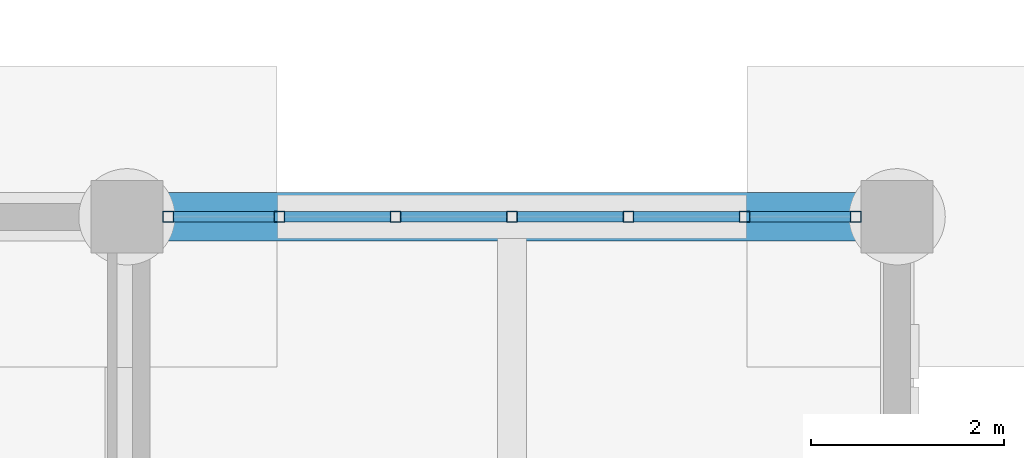
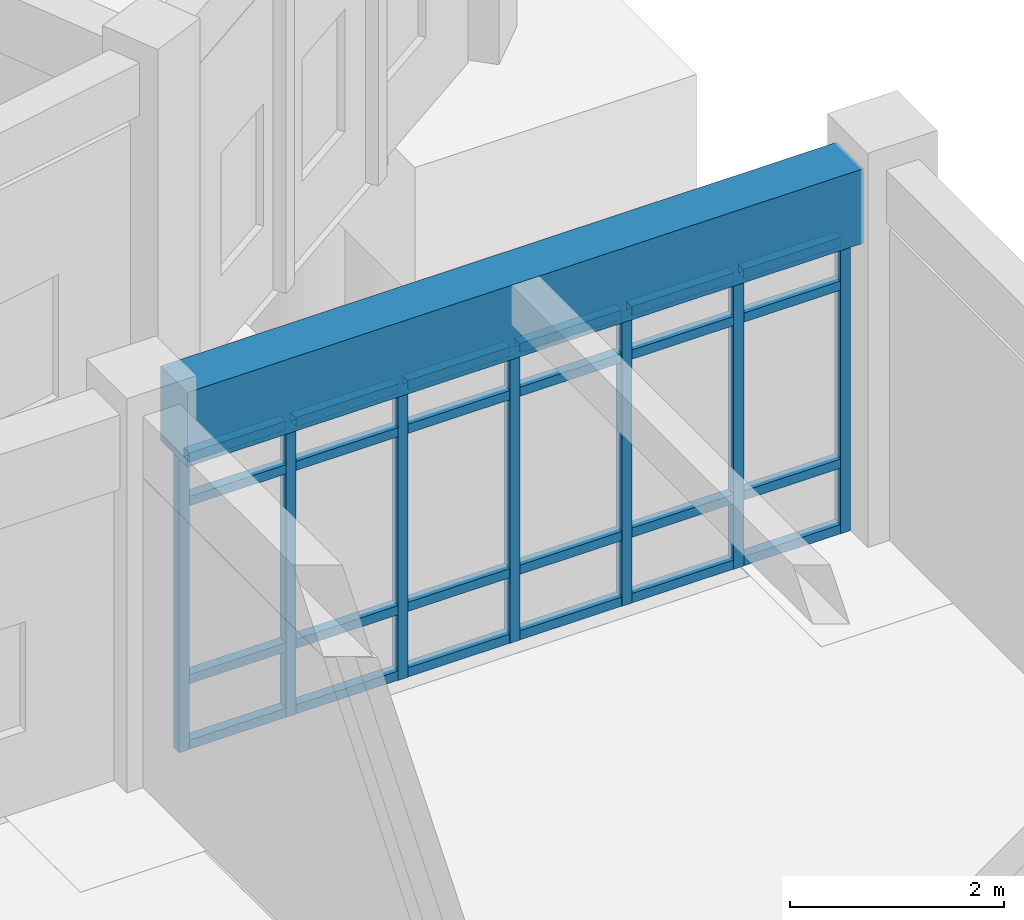
# One storey, part 58 of 153: 31 members, 1 beam, 1 element without a shape of its own.
"""IFC4 building model written with IfcOpenShell, lengths in metres."""

from ifc_helpers import new_model, si_unit, direction, frame, origin, origin_2d, place, context, subcontext, project, spatial, rectangle, hollow_rectangle, extrude, material, material_profile, profile_set, type_object, element, aggregate, save


model = new_model("IFC4")

# Units and contexts
model_context = context("Model", 3, precision=1e-05, world=origin(), true_north=direction((0.0, 1.0)))
body_context = subcontext(model_context, "Body", "Model", "MODEL_VIEW")
ifc_project = project(units=[si_unit("LENGTHUNIT", "METRE"), si_unit("AREAUNIT", "SQUARE_METRE"), si_unit("VOLUMEUNIT", "CUBIC_METRE"), si_unit("PLANEANGLEUNIT", "RADIAN"), si_unit("MASSUNIT", "GRAM", prefix="KILO")], contexts=[model_context])

# Site, building, storey
site_placement = place(None, origin())
site = spatial("IfcSite", under=ifc_project, at=site_placement, CompositionType="ELEMENT")
building_placement = place(site_placement, origin())
building = spatial("IfcBuilding", under=site, at=building_placement, Name="Celadon Cloister-Ring School", CompositionType="ELEMENT")
storey_placement = place(building_placement, origin())
storey = spatial("IfcBuildingStorey", under=building, at=storey_placement, Name="L00", CompositionType="ELEMENT", Elevation=0.0)

# Curtain wall, members
ifc_material_1 = material(Name="Aluminium EN AW-6063 T6", Category="aluminium")
curtain_wall_type = type_object("IfcCurtainWallType", Name="CW-12", PredefinedType="USERDEFINED", material=ifc_material_1)
curtain_wall_placement = place(storey_placement, origin())
curtain_wall = element("IfcCurtainWall", 1, at=curtain_wall_placement, inside=storey, type_object=curtain_wall_type, Name="Curtain Wall 0192", ObjectType="CURTAIN WALL", PredefinedType="USERDEFINED")
ifc_material_2 = material(Name="Aluminium EN AW-6063 T6", Category="aluminium")
ifc_material_profile_1 = material_profile(ifc_material_2, hollow_rectangle(XDim=0.110107421875, YDim=0.110107421875, WallThickness=0.0048828125, at=origin_2d()), Name="RHS110X110X5")
ifc_profile_set_1 = profile_set([ifc_material_profile_1], Name="Aluminium EN AW-6063 T6")
member_type_1 = type_object("IfcMemberType", Name="CM-01", PredefinedType="MULLION", material=ifc_profile_set_1)
member_1_placement = place(storey_placement, frame((24.429931640625, 76.0, 0.0), z_axis=(0.0, 0.0, 1.0), x_axis=(0.0, 1.0, 0.0)))
member_1 = element("IfcMember", 2, at=member_1_placement, type_object=member_type_1, Name="CW-12 mullion 1", PredefinedType="MULLION", context=body_context, shape_type="SweptSolid", body=[
    extrude(hollow_rectangle(XDim=0.110107421875, YDim=0.110107421875, WallThickness=0.0048828125, at=origin_2d()), origin(), (0.0, 0.0, 1.0), 3.382080078125),
])
member_2_placement = place(storey_placement, frame((25.583251953125, 76.0, 0.0), z_axis=(0.0, 0.0, 1.0), x_axis=(0.0, 1.0, 0.0)))
member_2 = element("IfcMember", 3, at=member_2_placement, type_object=member_type_1, Name="CW-12 mullion 2", PredefinedType="MULLION", context=body_context, shape_type="SweptSolid", body=[
    extrude(hollow_rectangle(XDim=0.110107421875, YDim=0.110107421875, WallThickness=0.0048828125, at=origin_2d()), origin(), (0.0, 0.0, 1.0), 3.382080078125),
])
member_3_placement = place(storey_placement, frame((26.791748046875, 76.0, 0.0), z_axis=(0.0, 0.0, 1.0), x_axis=(0.0, 1.0, 0.0)))
member_3 = element("IfcMember", 4, at=member_3_placement, type_object=member_type_1, Name="CW-12 mullion 3", PredefinedType="MULLION", context=body_context, shape_type="SweptSolid", body=[
    extrude(hollow_rectangle(XDim=0.110107421875, YDim=0.110107421875, WallThickness=0.0048828125, at=origin_2d()), origin(), (0.0, 0.0, 1.0), 3.382080078125),
])
member_4_placement = place(storey_placement, frame((28.0, 76.0, 0.0), z_axis=(0.0, 0.0, 1.0), x_axis=(0.0, 1.0, 0.0)))
member_4 = element("IfcMember", 5, at=member_4_placement, type_object=member_type_1, Name="CW-12 mullion 4", PredefinedType="MULLION", context=body_context, shape_type="SweptSolid", body=[
    extrude(hollow_rectangle(XDim=0.110107421875, YDim=0.110107421875, WallThickness=0.0048828125, at=origin_2d()), origin(), (0.0, 0.0, 1.0), 3.382080078125),
])
member_5_placement = place(storey_placement, frame((29.208251953125, 76.0, 0.0), z_axis=(0.0, 0.0, 1.0), x_axis=(0.0, 1.0, 0.0)))
member_5 = element("IfcMember", 6, at=member_5_placement, type_object=member_type_1, Name="CW-12 mullion 5", PredefinedType="MULLION", context=body_context, shape_type="SweptSolid", body=[
    extrude(hollow_rectangle(XDim=0.110107421875, YDim=0.110107421875, WallThickness=0.0048828125, at=origin_2d()), origin(), (0.0, 0.0, 1.0), 3.382080078125),
])
member_6_placement = place(storey_placement, frame((30.416748046875, 76.0, 0.0), z_axis=(0.0, 0.0, 1.0), x_axis=(0.0, 1.0, 0.0)))
member_6 = element("IfcMember", 7, at=member_6_placement, type_object=member_type_1, Name="CW-12 mullion 6", PredefinedType="MULLION", context=body_context, shape_type="SweptSolid", body=[
    extrude(hollow_rectangle(XDim=0.110107421875, YDim=0.110107421875, WallThickness=0.0048828125, at=origin_2d()), origin(), (0.0, 0.0, 1.0), 3.382080078125),
])
member_7_placement = place(storey_placement, frame((31.570068359375, 76.0, 0.0), z_axis=(0.0, 0.0, 1.0), x_axis=(0.0, 1.0, 0.0)))
member_7 = element("IfcMember", 8, at=member_7_placement, type_object=member_type_1, Name="CW-12 mullion 7", PredefinedType="MULLION", context=body_context, shape_type="SweptSolid", body=[
    extrude(hollow_rectangle(XDim=0.110107421875, YDim=0.110107421875, WallThickness=0.0048828125, at=origin_2d()), origin(), (0.0, 0.0, 1.0), 3.382080078125),
])
ifc_material_3 = material(Name="Aluminium EN AW-6063 T6", Category="aluminium")
ifc_material_profile_2 = material_profile(ifc_material_3, hollow_rectangle(XDim=0.10498046875, YDim=0.10498046875, WallThickness=0.0048828125, at=origin_2d()), Name="RHS105X105X5")
ifc_profile_set_2 = profile_set([ifc_material_profile_2], Name="Aluminium EN AW-6063 T6")
member_type_2 = type_object("IfcMemberType", Name="CTM-01", PredefinedType="USERDEFINED", material=ifc_profile_set_2)
member_8_placement = place(storey_placement, frame((24.485107421875, 76.0, 0.052490234375), z_axis=(1.0, 0.0, 0.0), x_axis=(0.0, 1.0, 0.0)))
member_8 = element("IfcMember", 9, at=member_8_placement, type_object=member_type_2, Name="CW-12 transom 1.1", ObjectType="TRANSOM", PredefinedType="USERDEFINED", context=body_context, shape_type="SweptSolid", body=[
    extrude(hollow_rectangle(XDim=0.10498046875, YDim=0.10498046875, WallThickness=0.0048828125, at=origin_2d()), origin(), (0.0, 0.0, 1.0), 1.043212890625),
])
member_9_placement = place(storey_placement, frame((24.485107421875, 76.0, 0.800048828125), z_axis=(1.0, 0.0, 0.0), x_axis=(0.0, 1.0, 0.0)))
member_9 = element("IfcMember", 10, at=member_9_placement, type_object=member_type_2, Name="CW-12 transom 1.2", ObjectType="TRANSOM", PredefinedType="USERDEFINED", context=body_context, shape_type="SweptSolid", body=[
    extrude(hollow_rectangle(XDim=0.10498046875, YDim=0.10498046875, WallThickness=0.0048828125, at=origin_2d()), origin(), (0.0, 0.0, 1.0), 1.043212890625),
])
member_10_placement = place(storey_placement, frame((24.485107421875, 76.0, 2.83203125), z_axis=(1.0, 0.0, 0.0), x_axis=(0.0, 1.0, 0.0)))
member_10 = element("IfcMember", 11, at=member_10_placement, type_object=member_type_2, Name="CW-12 transom 1.3", ObjectType="TRANSOM", PredefinedType="USERDEFINED", context=body_context, shape_type="SweptSolid", body=[
    extrude(hollow_rectangle(XDim=0.10498046875, YDim=0.10498046875, WallThickness=0.0048828125, at=origin_2d()), origin(), (0.0, 0.0, 1.0), 1.043212890625),
])
member_11_placement = place(storey_placement, frame((24.485107421875, 76.0, 3.32958984375), z_axis=(1.0, 0.0, 0.0), x_axis=(0.0, 1.0, 0.0)))
member_11 = element("IfcMember", 12, at=member_11_placement, type_object=member_type_2, Name="CW-12 transom 1.4", ObjectType="TRANSOM", PredefinedType="USERDEFINED", context=body_context, shape_type="SweptSolid", body=[
    extrude(hollow_rectangle(XDim=0.10498046875, YDim=0.10498046875, WallThickness=0.0048828125, at=origin_2d()), origin(), (0.0, 0.0, 1.0), 1.043212890625),
])
member_12_placement = place(storey_placement, frame((25.638427734375, 76.0, 0.052490234375), z_axis=(1.0, 0.0, 0.0), x_axis=(0.0, 1.0, 0.0)))
member_12 = element("IfcMember", 13, at=member_12_placement, type_object=member_type_2, Name="CW-12 transom 2.1", ObjectType="TRANSOM", PredefinedType="USERDEFINED", context=body_context, shape_type="SweptSolid", body=[
    extrude(hollow_rectangle(XDim=0.10498046875, YDim=0.10498046875, WallThickness=0.0048828125, at=origin_2d()), origin(), (0.0, 0.0, 1.0), 1.09814453125),
])
member_13_placement = place(storey_placement, frame((25.638427734375, 76.0, 0.800048828125), z_axis=(1.0, 0.0, 0.0), x_axis=(0.0, 1.0, 0.0)))
member_13 = element("IfcMember", 14, at=member_13_placement, type_object=member_type_2, Name="CW-12 transom 2.2", ObjectType="TRANSOM", PredefinedType="USERDEFINED", context=body_context, shape_type="SweptSolid", body=[
    extrude(hollow_rectangle(XDim=0.10498046875, YDim=0.10498046875, WallThickness=0.0048828125, at=origin_2d()), origin(), (0.0, 0.0, 1.0), 1.09814453125),
])
member_14_placement = place(storey_placement, frame((25.638427734375, 76.0, 2.83203125), z_axis=(1.0, 0.0, 0.0), x_axis=(0.0, 1.0, 0.0)))
member_14 = element("IfcMember", 15, at=member_14_placement, type_object=member_type_2, Name="CW-12 transom 2.3", ObjectType="TRANSOM", PredefinedType="USERDEFINED", context=body_context, shape_type="SweptSolid", body=[
    extrude(hollow_rectangle(XDim=0.10498046875, YDim=0.10498046875, WallThickness=0.0048828125, at=origin_2d()), origin(), (0.0, 0.0, 1.0), 1.09814453125),
])
member_15_placement = place(storey_placement, frame((25.638427734375, 76.0, 3.32958984375), z_axis=(1.0, 0.0, 0.0), x_axis=(0.0, 1.0, 0.0)))
member_15 = element("IfcMember", 16, at=member_15_placement, type_object=member_type_2, Name="CW-12 transom 2.4", ObjectType="TRANSOM", PredefinedType="USERDEFINED", context=body_context, shape_type="SweptSolid", body=[
    extrude(hollow_rectangle(XDim=0.10498046875, YDim=0.10498046875, WallThickness=0.0048828125, at=origin_2d()), origin(), (0.0, 0.0, 1.0), 1.09814453125),
])
member_16_placement = place(storey_placement, frame((26.8466796875, 76.0, 0.052490234375), z_axis=(1.0, 0.0, 0.0), x_axis=(0.0, 1.0, 0.0)))
member_16 = element("IfcMember", 17, at=member_16_placement, type_object=member_type_2, Name="CW-12 transom 3.1", ObjectType="TRANSOM", PredefinedType="USERDEFINED", context=body_context, shape_type="SweptSolid", body=[
    extrude(hollow_rectangle(XDim=0.10498046875, YDim=0.10498046875, WallThickness=0.0048828125, at=origin_2d()), origin(), (0.0, 0.0, 1.0), 1.098388671875),
])
member_17_placement = place(storey_placement, frame((26.8466796875, 76.0, 0.800048828125), z_axis=(1.0, 0.0, 0.0), x_axis=(0.0, 1.0, 0.0)))
member_17 = element("IfcMember", 18, at=member_17_placement, type_object=member_type_2, Name="CW-12 transom 3.2", ObjectType="TRANSOM", PredefinedType="USERDEFINED", context=body_context, shape_type="SweptSolid", body=[
    extrude(hollow_rectangle(XDim=0.10498046875, YDim=0.10498046875, WallThickness=0.0048828125, at=origin_2d()), origin(), (0.0, 0.0, 1.0), 1.098388671875),
])
member_18_placement = place(storey_placement, frame((26.8466796875, 76.0, 2.83203125), z_axis=(1.0, 0.0, 0.0), x_axis=(0.0, 1.0, 0.0)))
member_18 = element("IfcMember", 19, at=member_18_placement, type_object=member_type_2, Name="CW-12 transom 3.3", ObjectType="TRANSOM", PredefinedType="USERDEFINED", context=body_context, shape_type="SweptSolid", body=[
    extrude(hollow_rectangle(XDim=0.10498046875, YDim=0.10498046875, WallThickness=0.0048828125, at=origin_2d()), origin(), (0.0, 0.0, 1.0), 1.098388671875),
])
member_19_placement = place(storey_placement, frame((26.8466796875, 76.0, 3.32958984375), z_axis=(1.0, 0.0, 0.0), x_axis=(0.0, 1.0, 0.0)))
member_19 = element("IfcMember", 20, at=member_19_placement, type_object=member_type_2, Name="CW-12 transom 3.4", ObjectType="TRANSOM", PredefinedType="USERDEFINED", context=body_context, shape_type="SweptSolid", body=[
    extrude(hollow_rectangle(XDim=0.10498046875, YDim=0.10498046875, WallThickness=0.0048828125, at=origin_2d()), origin(), (0.0, 0.0, 1.0), 1.098388671875),
])
member_20_placement = place(storey_placement, frame((28.054931640625, 76.0, 0.052490234375), z_axis=(1.0, 0.0, 0.0), x_axis=(0.0, 1.0, 0.0)))
member_20 = element("IfcMember", 21, at=member_20_placement, type_object=member_type_2, Name="CW-12 transom 4.1", ObjectType="TRANSOM", PredefinedType="USERDEFINED", context=body_context, shape_type="SweptSolid", body=[
    extrude(hollow_rectangle(XDim=0.10498046875, YDim=0.10498046875, WallThickness=0.0048828125, at=origin_2d()), origin(), (0.0, 0.0, 1.0), 1.098388671875),
])
member_21_placement = place(storey_placement, frame((28.054931640625, 76.0, 0.800048828125), z_axis=(1.0, 0.0, 0.0), x_axis=(0.0, 1.0, 0.0)))
member_21 = element("IfcMember", 22, at=member_21_placement, type_object=member_type_2, Name="CW-12 transom 4.2", ObjectType="TRANSOM", PredefinedType="USERDEFINED", context=body_context, shape_type="SweptSolid", body=[
    extrude(hollow_rectangle(XDim=0.10498046875, YDim=0.10498046875, WallThickness=0.0048828125, at=origin_2d()), origin(), (0.0, 0.0, 1.0), 1.098388671875),
])
member_22_placement = place(storey_placement, frame((28.054931640625, 76.0, 2.83203125), z_axis=(1.0, 0.0, 0.0), x_axis=(0.0, 1.0, 0.0)))
member_22 = element("IfcMember", 23, at=member_22_placement, type_object=member_type_2, Name="CW-12 transom 4.3", ObjectType="TRANSOM", PredefinedType="USERDEFINED", context=body_context, shape_type="SweptSolid", body=[
    extrude(hollow_rectangle(XDim=0.10498046875, YDim=0.10498046875, WallThickness=0.0048828125, at=origin_2d()), origin(), (0.0, 0.0, 1.0), 1.098388671875),
])
member_23_placement = place(storey_placement, frame((28.054931640625, 76.0, 3.32958984375), z_axis=(1.0, 0.0, 0.0), x_axis=(0.0, 1.0, 0.0)))
member_23 = element("IfcMember", 24, at=member_23_placement, type_object=member_type_2, Name="CW-12 transom 4.4", ObjectType="TRANSOM", PredefinedType="USERDEFINED", context=body_context, shape_type="SweptSolid", body=[
    extrude(hollow_rectangle(XDim=0.10498046875, YDim=0.10498046875, WallThickness=0.0048828125, at=origin_2d()), origin(), (0.0, 0.0, 1.0), 1.098388671875),
])
member_24_placement = place(storey_placement, frame((29.263427734375, 76.0, 0.052490234375), z_axis=(1.0, 0.0, 0.0), x_axis=(0.0, 1.0, 0.0)))
member_24 = element("IfcMember", 25, at=member_24_placement, type_object=member_type_2, Name="CW-12 transom 5.1", ObjectType="TRANSOM", PredefinedType="USERDEFINED", context=body_context, shape_type="SweptSolid", body=[
    extrude(hollow_rectangle(XDim=0.10498046875, YDim=0.10498046875, WallThickness=0.0048828125, at=origin_2d()), origin(), (0.0, 0.0, 1.0), 1.09814453125),
])
member_25_placement = place(storey_placement, frame((29.263427734375, 76.0, 0.800048828125), z_axis=(1.0, 0.0, 0.0), x_axis=(0.0, 1.0, 0.0)))
member_25 = element("IfcMember", 26, at=member_25_placement, type_object=member_type_2, Name="CW-12 transom 5.2", ObjectType="TRANSOM", PredefinedType="USERDEFINED", context=body_context, shape_type="SweptSolid", body=[
    extrude(hollow_rectangle(XDim=0.10498046875, YDim=0.10498046875, WallThickness=0.0048828125, at=origin_2d()), origin(), (0.0, 0.0, 1.0), 1.09814453125),
])
member_26_placement = place(storey_placement, frame((29.263427734375, 76.0, 2.83203125), z_axis=(1.0, 0.0, 0.0), x_axis=(0.0, 1.0, 0.0)))
member_26 = element("IfcMember", 27, at=member_26_placement, type_object=member_type_2, Name="CW-12 transom 5.3", ObjectType="TRANSOM", PredefinedType="USERDEFINED", context=body_context, shape_type="SweptSolid", body=[
    extrude(hollow_rectangle(XDim=0.10498046875, YDim=0.10498046875, WallThickness=0.0048828125, at=origin_2d()), origin(), (0.0, 0.0, 1.0), 1.09814453125),
])
member_27_placement = place(storey_placement, frame((29.263427734375, 76.0, 3.32958984375), z_axis=(1.0, 0.0, 0.0), x_axis=(0.0, 1.0, 0.0)))
member_27 = element("IfcMember", 28, at=member_27_placement, type_object=member_type_2, Name="CW-12 transom 5.4", ObjectType="TRANSOM", PredefinedType="USERDEFINED", context=body_context, shape_type="SweptSolid", body=[
    extrude(hollow_rectangle(XDim=0.10498046875, YDim=0.10498046875, WallThickness=0.0048828125, at=origin_2d()), origin(), (0.0, 0.0, 1.0), 1.09814453125),
])
member_28_placement = place(storey_placement, frame((30.4716796875, 76.0, 0.052490234375), z_axis=(1.0, 0.0, 0.0), x_axis=(0.0, 1.0, 0.0)))
member_28 = element("IfcMember", 29, at=member_28_placement, type_object=member_type_2, Name="CW-12 transom 6.1", ObjectType="TRANSOM", PredefinedType="USERDEFINED", context=body_context, shape_type="SweptSolid", body=[
    extrude(hollow_rectangle(XDim=0.10498046875, YDim=0.10498046875, WallThickness=0.0048828125, at=origin_2d()), origin(), (0.0, 0.0, 1.0), 1.043212890625),
])
member_29_placement = place(storey_placement, frame((30.4716796875, 76.0, 0.800048828125), z_axis=(1.0, 0.0, 0.0), x_axis=(0.0, 1.0, 0.0)))
member_29 = element("IfcMember", 30, at=member_29_placement, type_object=member_type_2, Name="CW-12 transom 6.2", ObjectType="TRANSOM", PredefinedType="USERDEFINED", context=body_context, shape_type="SweptSolid", body=[
    extrude(hollow_rectangle(XDim=0.10498046875, YDim=0.10498046875, WallThickness=0.0048828125, at=origin_2d()), origin(), (0.0, 0.0, 1.0), 1.043212890625),
])
member_30_placement = place(storey_placement, frame((30.4716796875, 76.0, 2.83203125), z_axis=(1.0, 0.0, 0.0), x_axis=(0.0, 1.0, 0.0)))
member_30 = element("IfcMember", 31, at=member_30_placement, type_object=member_type_2, Name="CW-12 transom 6.3", ObjectType="TRANSOM", PredefinedType="USERDEFINED", context=body_context, shape_type="SweptSolid", body=[
    extrude(hollow_rectangle(XDim=0.10498046875, YDim=0.10498046875, WallThickness=0.0048828125, at=origin_2d()), origin(), (0.0, 0.0, 1.0), 1.043212890625),
])
member_31_placement = place(storey_placement, frame((30.4716796875, 76.0, 3.32958984375), z_axis=(1.0, 0.0, 0.0), x_axis=(0.0, 1.0, 0.0)))
member_31 = element("IfcMember", 32, at=member_31_placement, type_object=member_type_2, Name="CW-12 transom 6.4", ObjectType="TRANSOM", PredefinedType="USERDEFINED", context=body_context, shape_type="SweptSolid", body=[
    extrude(hollow_rectangle(XDim=0.10498046875, YDim=0.10498046875, WallThickness=0.0048828125, at=origin_2d()), origin(), (0.0, 0.0, 1.0), 1.043212890625),
])
aggregate(curtain_wall, [member_1, member_2, member_3, member_4, member_5, member_6, member_7, member_8, member_9, member_10, member_11, member_12, member_13, member_14, member_15, member_16, member_17, member_18, member_19, member_20, member_21, member_22, member_23, member_24, member_25, member_26, member_27, member_28, member_29, member_30, member_31])

# Beam
ifc_material_4 = material(Name="Concrete C35/45", Category="concrete")
ifc_material_profile_3 = material_profile(ifc_material_4, rectangle(XDim=0.5, YDim=0.85009765625, at=origin_2d()), Name="RC500X850")
ifc_profile_set_3 = profile_set([ifc_material_profile_3], Name="Concrete C35/45")
beam_type = type_object("IfcBeamType", Name="GT-01", PredefinedType="USERDEFINED", material=ifc_profile_set_3)
beam_placement = place(storey_placement, frame((24.35009765625, 76.0, 3.81494140625), z_axis=(1.0, 0.0, 0.0), x_axis=(0.0, 1.0, 0.0)))
element("IfcBeam", 33, at=beam_placement, inside=storey, type_object=beam_type, Name="Beam 1494", ObjectType="GIRDER", PredefinedType="USERDEFINED", context=body_context, shape_type="SweptSolid", body=[
    extrude(rectangle(XDim=0.5, YDim=0.85009765625, at=origin_2d()), origin(), (0.0, 0.0, 1.0), 7.2998046875),
])

save(model, "model.ifc")
